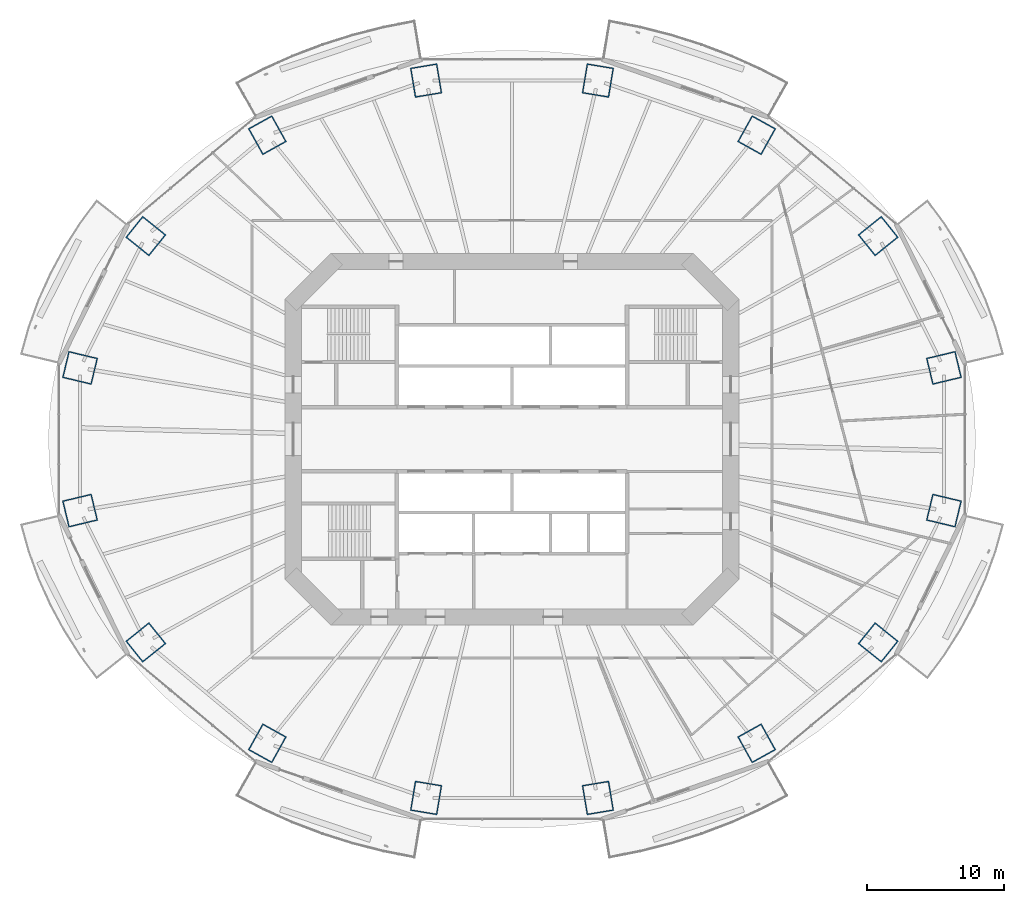
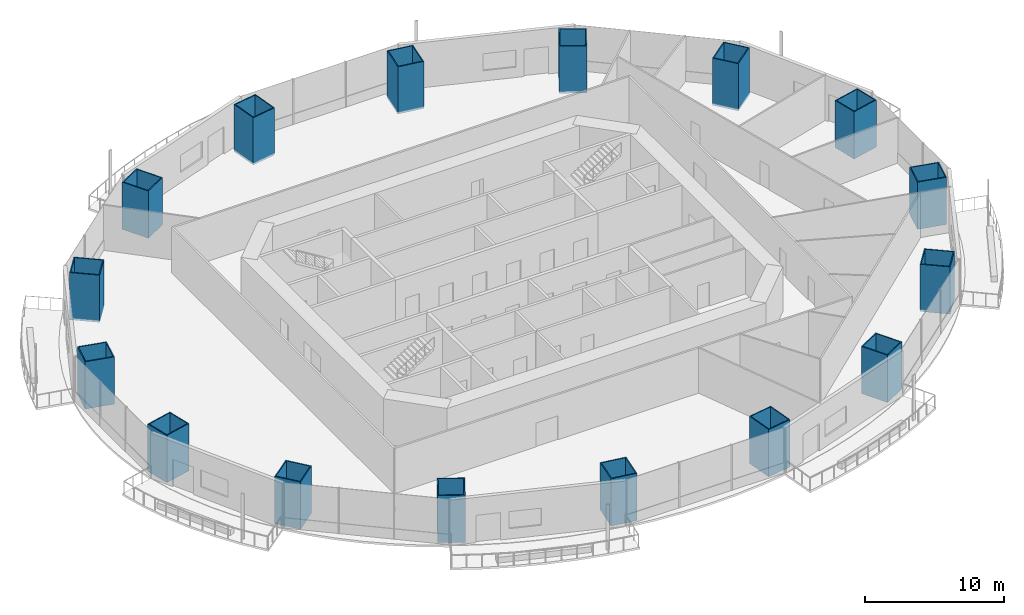
# One storey, part 1 of 21: 16 columns.
"""IFC4 building model written with IfcOpenShell, lengths in metres."""

from ifc_helpers import new_model, si_unit, direction, frame, origin, origin_2d, place, context, subcontext, project, spatial, rectangle, hollow_rectangle, extrude, material, material_profile, profile_set, type_object, element, save


model = new_model("IFC4")

# Units and contexts
model_context = context("Model", 3, precision=1e-05, world=origin(), true_north=direction((0.0, 1.0)))
body_context = subcontext(model_context, "Body", "Model", "MODEL_VIEW")
ifc_project = project(units=[si_unit("LENGTHUNIT", "METRE"), si_unit("AREAUNIT", "SQUARE_METRE"), si_unit("VOLUMEUNIT", "CUBIC_METRE"), si_unit("PLANEANGLEUNIT", "RADIAN"), si_unit("MASSUNIT", "GRAM", prefix="KILO")], contexts=[model_context])

# Site, building, storey
site_placement = place(None, origin())
site = spatial("IfcSite", under=ifc_project, at=site_placement, CompositionType="ELEMENT")
building_placement = place(site_placement, origin())
building = spatial("IfcBuilding", under=site, at=building_placement, Name="Marenthal Gate Tower", CompositionType="ELEMENT")
storey_placement = place(building_placement, frame((0.0, 0.0, 120.14990234375)))
storey = spatial("IfcBuildingStorey", under=building, at=storey_placement, Name="L25", CompositionType="ELEMENT", Elevation=120.14990234375)

# Columns
ifc_material_1 = material(Name="Steel S460", Category="steel")
ifc_material_profile_1 = material_profile(ifc_material_1, hollow_rectangle(XDim=2.0, YDim=2.199951171875, WallThickness=0.080078125, at=origin_2d()), Name="CFT BOX 2200X2000X80")
ifc_material_2 = material(Name="Concrete 70 MPa", Category="concrete")
ifc_material_profile_2 = material_profile(ifc_material_2, rectangle(XDim=1.840087890625, YDim=2.0400390625, at=origin_2d()), Name="CFT BOX 2200X2000X80 INFILL")
ifc_profile_set = profile_set([ifc_material_profile_1, ifc_material_profile_2], Name="Steel S460 shell, Concrete 70 MPa infill")
column_type = type_object("IfcColumnType", Name="CFT BOX 2200X2000X80", PredefinedType="COLUMN", material=ifc_profile_set)
for number, where, z_axis, x_axis, name in (
    (1, (31.585205078125, 5.217041015625, -0.179931640625), (0.0, 0.0, 1.0), (0.232949778707, -0.972488766311, 0.0), "COL-L25-01"),
    (2, (26.776611328125, 14.857177734375, -0.179931640625), (0.0, 0.0, 1.0), (0.626903009462, -0.779097308895, 0.0), "COL-L25-02"),
    (3, (17.8916015625, 22.235107421875, -0.179931640625), (0.0, 0.0, 1.0), (0.874418247414, -0.485172885257, 0.0), "COL-L25-03"),
    (4, (6.28271484375, 26.228271484375, -0.179931640625), (0.0, 0.0, 1.0), (0.986631388572, -0.162967797691, 0.0), "COL-L25-04"),
    (5, (-6.28271484375, 26.228271484375, -0.179931640625), (0.0, 0.0, 1.0), (0.986631388572, 0.162967797691, 0.0), "COL-L25-05"),
    (6, (-17.8916015625, 22.235107421875, -0.179931640625), (0.0, 0.0, 1.0), (0.874418247414, 0.485172885257, 0.0), "COL-L25-06"),
    (7, (-26.776611328125, 14.857177734375, -0.179931640625), (0.0, 0.0, 1.0), (0.626903009462, 0.779097308895, 0.0), "COL-L25-07"),
    (8, (-31.585205078125, 5.217041015625, -0.179931640625), (0.0, 0.0, 1.0), (0.232949778707, 0.972488766311, 0.0), "COL-L25-08"),
    (9, (-31.585205078125, -5.217041015625, -0.179931640625), (0.0, 0.0, 1.0), (-0.232949778707, 0.972488766311, 0.0), "COL-L25-09"),
    (10, (-26.776611328125, -14.857177734375, -0.179931640625), (0.0, 0.0, 1.0), (-0.626903009462, 0.779097308895, 0.0), "COL-L25-10"),
    (11, (-17.8916015625, -22.235107421875, -0.179931640625), (0.0, 0.0, 1.0), (-0.874418247414, 0.485172885257, 0.0), "COL-L25-11"),
    (12, (-6.28271484375, -26.228271484375, -0.179931640625), (0.0, 0.0, 1.0), (-0.986631388572, 0.162967797691, 0.0), "COL-L25-12"),
    (13, (6.28271484375, -26.228271484375, -0.179931640625), (0.0, 0.0, 1.0), (-0.986631388572, -0.162967797691, 0.0), "COL-L25-13"),
    (14, (17.8916015625, -22.235107421875, -0.179931640625), (0.0, 0.0, 1.0), (-0.874418247414, -0.485172885257, 0.0), "COL-L25-14"),
    (15, (26.776611328125, -14.857177734375, -0.179931640625), (0.0, 0.0, 1.0), (-0.626903009462, -0.779097308895, 0.0), "COL-L25-15"),
    (16, (31.585205078125, -5.217041015625, -0.179931640625), (0.0, 0.0, 1.0), (-0.232949778707, -0.972488766311, 0.0), "COL-L25-16"),
):
    element("IfcColumn", number, at=place(storey_placement, frame(where, z_axis=z_axis, x_axis=x_axis)), inside=storey, type_object=column_type, Name=name, PredefinedType="COLUMN", context=body_context, shape_type="SweptSolid", body=[
        extrude(hollow_rectangle(XDim=2.0, YDim=2.199951171875, WallThickness=0.080078125, at=origin_2d()), origin(), (0.0, 0.0, 1.0), 4.150146484375),
    ])

save(model, "model.ifc")
